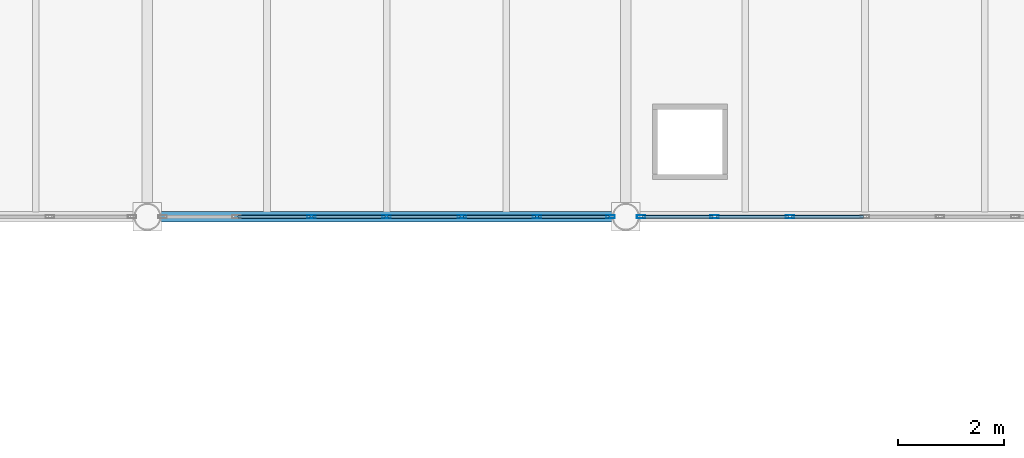
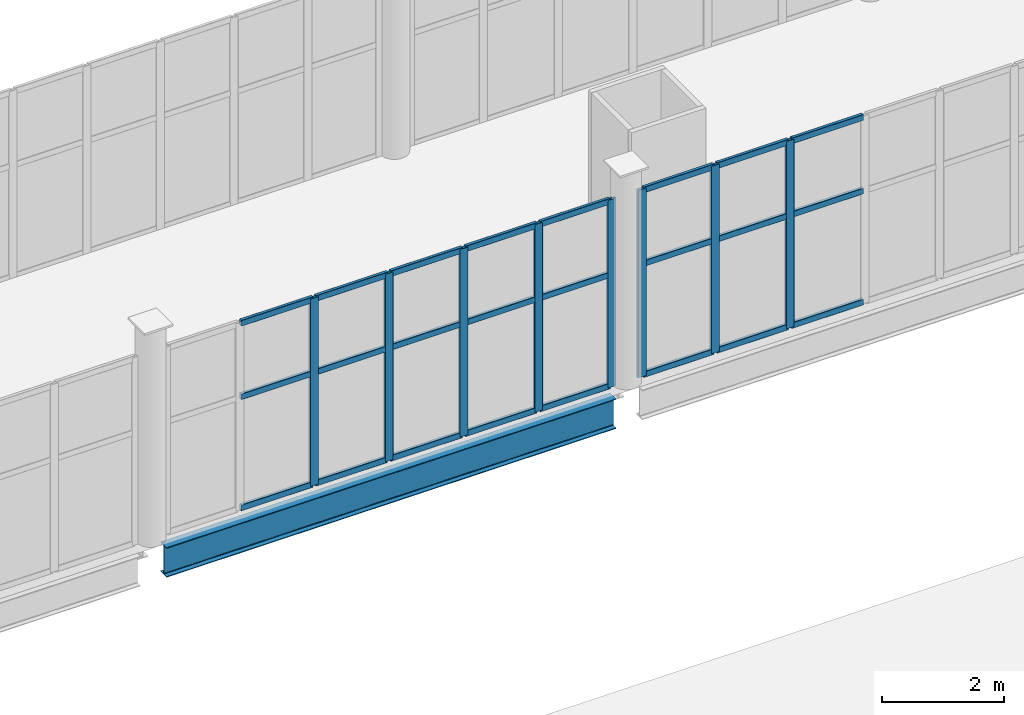
# One storey, part 62 of 136: 32 members, 1 beam, 2 elements without a shape of their own.
"""IFC4 building model written with IfcOpenShell, lengths in metres."""

from ifc_helpers import new_model, si_unit, direction, frame, origin, origin_2d, place, context, subcontext, project, spatial, hollow_rectangle, i_section, extrude, material, material_profile, profile_set, type_object, element, aggregate, save


model = new_model("IFC4")

# Units and contexts
model_context = context("Model", 3, precision=1e-05, world=origin(), true_north=direction((0.0, 1.0)))
body_context = subcontext(model_context, "Body", "Model", "MODEL_VIEW")
ifc_project = project(units=[si_unit("LENGTHUNIT", "METRE"), si_unit("AREAUNIT", "SQUARE_METRE"), si_unit("VOLUMEUNIT", "CUBIC_METRE"), si_unit("PLANEANGLEUNIT", "RADIAN"), si_unit("MASSUNIT", "GRAM", prefix="KILO")], contexts=[model_context])

# Site, building, storey
site_placement = place(None, origin())
site = spatial("IfcSite", under=ifc_project, at=site_placement, CompositionType="ELEMENT")
building_placement = place(site_placement, origin())
building = spatial("IfcBuilding", under=site, at=building_placement, Name="Shengluoqiao Park Theatre", CompositionType="ELEMENT")
storey_placement = place(building_placement, frame((0.0, 0.0, 10.0)))
storey = spatial("IfcBuildingStorey", under=building, at=storey_placement, Name="L02", CompositionType="ELEMENT", Elevation=10.0)

# Curtain wall, members
ifc_material_1 = material(Name="Aluminium 6063-T6", Category="aluminium")
curtain_wall_type = type_object("IfcCurtainWallType", Name="ENV-CW-BRIDGE", PredefinedType="NOTDEFINED", material=ifc_material_1)
curtain_wall_1_placement = place(storey_placement, origin())
curtain_wall_1 = element("IfcCurtainWall", 1, at=curtain_wall_1_placement, inside=storey, type_object=curtain_wall_type, Name="L02 Curtain Wall CWX-L02-0110", PredefinedType="NOTDEFINED")
ifc_material_profile_1 = material_profile(ifc_material_1, hollow_rectangle(XDim=0.06005859375, YDim=0.159912109375, WallThickness=0.00390625, InnerFilletRadius=0.00390625, OuterFilletRadius=0.008056640625, at=origin_2d()), Name="ALU MULLION 160x60x4")
ifc_profile_set_1 = profile_set([ifc_material_profile_1], Name="Aluminium 6063-T6")
member_type_1 = type_object("IfcMemberType", Name="ENV-MUL-160", PredefinedType="MULLION", material=ifc_profile_set_1)
member_1_placement = place(storey_placement, frame((115.486083984375, 68.39990234375, 0.0), z_axis=(0.0, 0.0, 1.0), x_axis=(0.0, 1.0, 0.0)))
member_1 = element("IfcMember", 2, at=member_1_placement, type_object=member_type_1, Name="CW-03 mullion 3", PredefinedType="MULLION", context=body_context, shape_type="SweptSolid", body=[
    extrude(hollow_rectangle(XDim=0.06005859375, YDim=0.159912109375, WallThickness=0.00390625, InnerFilletRadius=0.00390625, OuterFilletRadius=0.008056640625, at=origin_2d()), origin(), (0.0, 0.0, 1.0), 3.751953125),
])
member_2_placement = place(storey_placement, frame((116.89990234375, 68.39990234375, 0.0), z_axis=(0.0, 0.0, 1.0), x_axis=(0.0, 1.0, 0.0)))
member_2 = element("IfcMember", 3, at=member_2_placement, type_object=member_type_1, Name="CW-03 mullion 4", PredefinedType="MULLION", context=body_context, shape_type="SweptSolid", body=[
    extrude(hollow_rectangle(XDim=0.06005859375, YDim=0.159912109375, WallThickness=0.00390625, InnerFilletRadius=0.00390625, OuterFilletRadius=0.008056640625, at=origin_2d()), origin(), (0.0, 0.0, 1.0), 3.751953125),
])
member_3_placement = place(storey_placement, frame((118.31396484375, 68.39990234375, 0.0), z_axis=(0.0, 0.0, 1.0), x_axis=(0.0, 1.0, 0.0)))
member_3 = element("IfcMember", 4, at=member_3_placement, type_object=member_type_1, Name="CW-03 mullion 5", PredefinedType="MULLION", context=body_context, shape_type="SweptSolid", body=[
    extrude(hollow_rectangle(XDim=0.06005859375, YDim=0.159912109375, WallThickness=0.00390625, InnerFilletRadius=0.00390625, OuterFilletRadius=0.008056640625, at=origin_2d()), origin(), (0.0, 0.0, 1.0), 3.751953125),
])
member_4_placement = place(storey_placement, frame((119.72802734375, 68.39990234375, 0.0), z_axis=(0.0, 0.0, 1.0), x_axis=(0.0, 1.0, 0.0)))
member_4 = element("IfcMember", 5, at=member_4_placement, type_object=member_type_1, Name="CW-03 mullion 6", PredefinedType="MULLION", context=body_context, shape_type="SweptSolid", body=[
    extrude(hollow_rectangle(XDim=0.06005859375, YDim=0.159912109375, WallThickness=0.00390625, InnerFilletRadius=0.00390625, OuterFilletRadius=0.008056640625, at=origin_2d()), origin(), (0.0, 0.0, 1.0), 3.751953125),
])
member_5_placement = place(storey_placement, frame((121.112060546875, 68.39990234375, 0.0), z_axis=(0.0, 0.0, 1.0), x_axis=(0.0, 1.0, 0.0)))
member_5 = element("IfcMember", 6, at=member_5_placement, type_object=member_type_1, Name="CW-03 mullion 7", PredefinedType="MULLION", context=body_context, shape_type="SweptSolid", body=[
    extrude(hollow_rectangle(XDim=0.06005859375, YDim=0.159912109375, WallThickness=0.00390625, InnerFilletRadius=0.00390625, OuterFilletRadius=0.008056640625, at=origin_2d()), origin(), (0.0, 0.0, 1.0), 3.751953125),
])

curtain_wall_2_placement = place(storey_placement, origin())
curtain_wall_2 = element("IfcCurtainWall", 7, at=curtain_wall_2_placement, inside=storey, type_object=curtain_wall_type, Name="L02 Curtain Wall CWX-L02-0111", PredefinedType="NOTDEFINED")
member_6_placement = place(storey_placement, frame((121.68798828125, 68.39990234375, 0.0), z_axis=(0.0, 0.0, 1.0), x_axis=(0.0, 1.0, 0.0)))
member_6 = element("IfcMember", 8, at=member_6_placement, type_object=member_type_1, Name="CW-03 mullion 1", PredefinedType="MULLION", context=body_context, shape_type="SweptSolid", body=[
    extrude(hollow_rectangle(XDim=0.06005859375, YDim=0.159912109375, WallThickness=0.00390625, InnerFilletRadius=0.00390625, OuterFilletRadius=0.008056640625, at=origin_2d()), origin(), (0.0, 0.0, 1.0), 3.751953125),
])
member_7_placement = place(storey_placement, frame((123.072021484375, 68.39990234375, 0.0), z_axis=(0.0, 0.0, 1.0), x_axis=(0.0, 1.0, 0.0)))
member_7 = element("IfcMember", 9, at=member_7_placement, type_object=member_type_1, Name="CW-03 mullion 2", PredefinedType="MULLION", context=body_context, shape_type="SweptSolid", body=[
    extrude(hollow_rectangle(XDim=0.06005859375, YDim=0.159912109375, WallThickness=0.00390625, InnerFilletRadius=0.00390625, OuterFilletRadius=0.008056640625, at=origin_2d()), origin(), (0.0, 0.0, 1.0), 3.751953125),
])
member_8_placement = place(storey_placement, frame((124.486083984375, 68.39990234375, 0.0), z_axis=(0.0, 0.0, 1.0), x_axis=(0.0, 1.0, 0.0)))
member_8 = element("IfcMember", 10, at=member_8_placement, type_object=member_type_1, Name="CW-03 mullion 3", PredefinedType="MULLION", context=body_context, shape_type="SweptSolid", body=[
    extrude(hollow_rectangle(XDim=0.06005859375, YDim=0.159912109375, WallThickness=0.00390625, InnerFilletRadius=0.00390625, OuterFilletRadius=0.008056640625, at=origin_2d()), origin(), (0.0, 0.0, 1.0), 3.751953125),
])

# Member
ifc_material_profile_2 = material_profile(ifc_material_1, hollow_rectangle(XDim=0.06005859375, YDim=0.1201171875, WallThickness=0.00390625, InnerFilletRadius=0.00390625, OuterFilletRadius=0.008056640625, at=origin_2d()), Name="ALU TRANSOM 120x60x4")
ifc_profile_set_2 = profile_set([ifc_material_profile_2], Name="Aluminium 6063-T6")
member_type_2 = type_object("IfcMemberType", Name="ENV-TRN-120", PredefinedType="USERDEFINED", material=ifc_profile_set_2)
member_9_placement = place(storey_placement, frame((114.10205078125, 68.39990234375, 0.030029296875), z_axis=(1.0, 0.0, 0.0), x_axis=(0.0, 1.0, 0.0)))
member_9 = element("IfcMember", 11, at=member_9_placement, type_object=member_type_2, Name="CW-03 transom 2.1", ObjectType="TRANSOM", PredefinedType="USERDEFINED", context=body_context, shape_type="SweptSolid", body=[
    extrude(hollow_rectangle(XDim=0.06005859375, YDim=0.1201171875, WallThickness=0.00390625, InnerFilletRadius=0.00390625, OuterFilletRadius=0.008056640625, at=origin_2d()), origin(), (0.0, 0.0, 1.0), 1.35400390625),
])

member_10_placement = place(storey_placement, frame((114.10205078125, 68.39990234375, 2.2509765625), z_axis=(1.0, 0.0, 0.0), x_axis=(0.0, 1.0, 0.0)))
member_10 = element("IfcMember", 12, at=member_10_placement, type_object=member_type_2, Name="CW-03 transom 2.2", ObjectType="TRANSOM", PredefinedType="USERDEFINED", context=body_context, shape_type="SweptSolid", body=[
    extrude(hollow_rectangle(XDim=0.06005859375, YDim=0.1201171875, WallThickness=0.00390625, InnerFilletRadius=0.00390625, OuterFilletRadius=0.008056640625, at=origin_2d()), origin(), (0.0, 0.0, 1.0), 1.35400390625),
])

member_11_placement = place(storey_placement, frame((114.10205078125, 68.39990234375, 3.721923828125), z_axis=(1.0, 0.0, 0.0), x_axis=(0.0, 1.0, 0.0)))
member_11 = element("IfcMember", 13, at=member_11_placement, type_object=member_type_2, Name="CW-03 transom 2.3", ObjectType="TRANSOM", PredefinedType="USERDEFINED", context=body_context, shape_type="SweptSolid", body=[
    extrude(hollow_rectangle(XDim=0.06005859375, YDim=0.1201171875, WallThickness=0.00390625, InnerFilletRadius=0.00390625, OuterFilletRadius=0.008056640625, at=origin_2d()), origin(), (0.0, 0.0, 1.0), 1.35400390625),
])

member_12_placement = place(storey_placement, frame((115.51611328125, 68.39990234375, 0.030029296875), z_axis=(1.0, 0.0, 0.0), x_axis=(0.0, 1.0, 0.0)))
member_12 = element("IfcMember", 14, at=member_12_placement, type_object=member_type_2, Name="CW-03 transom 3.1", ObjectType="TRANSOM", PredefinedType="USERDEFINED", context=body_context, shape_type="SweptSolid", body=[
    extrude(hollow_rectangle(XDim=0.06005859375, YDim=0.1201171875, WallThickness=0.00390625, InnerFilletRadius=0.00390625, OuterFilletRadius=0.008056640625, at=origin_2d()), origin(), (0.0, 0.0, 1.0), 1.35400390625),
])

member_13_placement = place(storey_placement, frame((115.51611328125, 68.39990234375, 2.2509765625), z_axis=(1.0, 0.0, 0.0), x_axis=(0.0, 1.0, 0.0)))
member_13 = element("IfcMember", 15, at=member_13_placement, type_object=member_type_2, Name="CW-03 transom 3.2", ObjectType="TRANSOM", PredefinedType="USERDEFINED", context=body_context, shape_type="SweptSolid", body=[
    extrude(hollow_rectangle(XDim=0.06005859375, YDim=0.1201171875, WallThickness=0.00390625, InnerFilletRadius=0.00390625, OuterFilletRadius=0.008056640625, at=origin_2d()), origin(), (0.0, 0.0, 1.0), 1.35400390625),
])

member_14_placement = place(storey_placement, frame((115.51611328125, 68.39990234375, 3.721923828125), z_axis=(1.0, 0.0, 0.0), x_axis=(0.0, 1.0, 0.0)))
member_14 = element("IfcMember", 16, at=member_14_placement, type_object=member_type_2, Name="CW-03 transom 3.3", ObjectType="TRANSOM", PredefinedType="USERDEFINED", context=body_context, shape_type="SweptSolid", body=[
    extrude(hollow_rectangle(XDim=0.06005859375, YDim=0.1201171875, WallThickness=0.00390625, InnerFilletRadius=0.00390625, OuterFilletRadius=0.008056640625, at=origin_2d()), origin(), (0.0, 0.0, 1.0), 1.35400390625),
])

member_15_placement = place(storey_placement, frame((116.929931640625, 68.39990234375, 0.030029296875), z_axis=(1.0, 0.0, 0.0), x_axis=(0.0, 1.0, 0.0)))
member_15 = element("IfcMember", 17, at=member_15_placement, type_object=member_type_2, Name="CW-03 transom 4.1", ObjectType="TRANSOM", PredefinedType="USERDEFINED", context=body_context, shape_type="SweptSolid", body=[
    extrude(hollow_rectangle(XDim=0.06005859375, YDim=0.1201171875, WallThickness=0.00390625, InnerFilletRadius=0.00390625, OuterFilletRadius=0.008056640625, at=origin_2d()), origin(), (0.0, 0.0, 1.0), 1.35400390625),
])

member_16_placement = place(storey_placement, frame((116.929931640625, 68.39990234375, 2.2509765625), z_axis=(1.0, 0.0, 0.0), x_axis=(0.0, 1.0, 0.0)))
member_16 = element("IfcMember", 18, at=member_16_placement, type_object=member_type_2, Name="CW-03 transom 4.2", ObjectType="TRANSOM", PredefinedType="USERDEFINED", context=body_context, shape_type="SweptSolid", body=[
    extrude(hollow_rectangle(XDim=0.06005859375, YDim=0.1201171875, WallThickness=0.00390625, InnerFilletRadius=0.00390625, OuterFilletRadius=0.008056640625, at=origin_2d()), origin(), (0.0, 0.0, 1.0), 1.35400390625),
])

member_17_placement = place(storey_placement, frame((116.929931640625, 68.39990234375, 3.721923828125), z_axis=(1.0, 0.0, 0.0), x_axis=(0.0, 1.0, 0.0)))
member_17 = element("IfcMember", 19, at=member_17_placement, type_object=member_type_2, Name="CW-03 transom 4.3", ObjectType="TRANSOM", PredefinedType="USERDEFINED", context=body_context, shape_type="SweptSolid", body=[
    extrude(hollow_rectangle(XDim=0.06005859375, YDim=0.1201171875, WallThickness=0.00390625, InnerFilletRadius=0.00390625, OuterFilletRadius=0.008056640625, at=origin_2d()), origin(), (0.0, 0.0, 1.0), 1.35400390625),
])

member_18_placement = place(storey_placement, frame((118.343994140625, 68.39990234375, 0.030029296875), z_axis=(1.0, 0.0, 0.0), x_axis=(0.0, 1.0, 0.0)))
member_18 = element("IfcMember", 20, at=member_18_placement, type_object=member_type_2, Name="CW-03 transom 5.1", ObjectType="TRANSOM", PredefinedType="USERDEFINED", context=body_context, shape_type="SweptSolid", body=[
    extrude(hollow_rectangle(XDim=0.06005859375, YDim=0.1201171875, WallThickness=0.00390625, InnerFilletRadius=0.00390625, OuterFilletRadius=0.008056640625, at=origin_2d()), origin(), (0.0, 0.0, 1.0), 1.35400390625),
])

member_19_placement = place(storey_placement, frame((118.343994140625, 68.39990234375, 2.2509765625), z_axis=(1.0, 0.0, 0.0), x_axis=(0.0, 1.0, 0.0)))
member_19 = element("IfcMember", 21, at=member_19_placement, type_object=member_type_2, Name="CW-03 transom 5.2", ObjectType="TRANSOM", PredefinedType="USERDEFINED", context=body_context, shape_type="SweptSolid", body=[
    extrude(hollow_rectangle(XDim=0.06005859375, YDim=0.1201171875, WallThickness=0.00390625, InnerFilletRadius=0.00390625, OuterFilletRadius=0.008056640625, at=origin_2d()), origin(), (0.0, 0.0, 1.0), 1.35400390625),
])

member_20_placement = place(storey_placement, frame((118.343994140625, 68.39990234375, 3.721923828125), z_axis=(1.0, 0.0, 0.0), x_axis=(0.0, 1.0, 0.0)))
member_20 = element("IfcMember", 22, at=member_20_placement, type_object=member_type_2, Name="CW-03 transom 5.3", ObjectType="TRANSOM", PredefinedType="USERDEFINED", context=body_context, shape_type="SweptSolid", body=[
    extrude(hollow_rectangle(XDim=0.06005859375, YDim=0.1201171875, WallThickness=0.00390625, InnerFilletRadius=0.00390625, OuterFilletRadius=0.008056640625, at=origin_2d()), origin(), (0.0, 0.0, 1.0), 1.35400390625),
])

member_21_placement = place(storey_placement, frame((119.758056640625, 68.39990234375, 0.030029296875), z_axis=(1.0, 0.0, 0.0), x_axis=(0.0, 1.0, 0.0)))
member_21 = element("IfcMember", 23, at=member_21_placement, type_object=member_type_2, Name="CW-03 transom 6.1", ObjectType="TRANSOM", PredefinedType="USERDEFINED", context=body_context, shape_type="SweptSolid", body=[
    extrude(hollow_rectangle(XDim=0.06005859375, YDim=0.1201171875, WallThickness=0.00390625, InnerFilletRadius=0.00390625, OuterFilletRadius=0.008056640625, at=origin_2d()), origin(), (0.0, 0.0, 1.0), 1.323974609375),
])

member_22_placement = place(storey_placement, frame((119.758056640625, 68.39990234375, 2.2509765625), z_axis=(1.0, 0.0, 0.0), x_axis=(0.0, 1.0, 0.0)))
member_22 = element("IfcMember", 24, at=member_22_placement, type_object=member_type_2, Name="CW-03 transom 6.2", ObjectType="TRANSOM", PredefinedType="USERDEFINED", context=body_context, shape_type="SweptSolid", body=[
    extrude(hollow_rectangle(XDim=0.06005859375, YDim=0.1201171875, WallThickness=0.00390625, InnerFilletRadius=0.00390625, OuterFilletRadius=0.008056640625, at=origin_2d()), origin(), (0.0, 0.0, 1.0), 1.323974609375),
])

member_23_placement = place(storey_placement, frame((119.758056640625, 68.39990234375, 3.721923828125), z_axis=(1.0, 0.0, 0.0), x_axis=(0.0, 1.0, 0.0)))
member_23 = element("IfcMember", 25, at=member_23_placement, type_object=member_type_2, Name="CW-03 transom 6.3", ObjectType="TRANSOM", PredefinedType="USERDEFINED", context=body_context, shape_type="SweptSolid", body=[
    extrude(hollow_rectangle(XDim=0.06005859375, YDim=0.1201171875, WallThickness=0.00390625, InnerFilletRadius=0.00390625, OuterFilletRadius=0.008056640625, at=origin_2d()), origin(), (0.0, 0.0, 1.0), 1.323974609375),
])

aggregate(curtain_wall_1, [member_1, member_2, member_3, member_4, member_5, member_9, member_10, member_11, member_12, member_13, member_14, member_15, member_16, member_17, member_18, member_19, member_20, member_21, member_22, member_23])

member_24_placement = place(storey_placement, frame((121.718017578125, 68.39990234375, 0.030029296875), z_axis=(1.0, 0.0, 0.0), x_axis=(0.0, 1.0, 0.0)))
member_24 = element("IfcMember", 26, at=member_24_placement, type_object=member_type_2, Name="CW-03 transom 1.1", ObjectType="TRANSOM", PredefinedType="USERDEFINED", context=body_context, shape_type="SweptSolid", body=[
    extrude(hollow_rectangle(XDim=0.06005859375, YDim=0.1201171875, WallThickness=0.00390625, InnerFilletRadius=0.00390625, OuterFilletRadius=0.008056640625, at=origin_2d()), origin(), (0.0, 0.0, 1.0), 1.323974609375),
])

member_25_placement = place(storey_placement, frame((121.718017578125, 68.39990234375, 2.2509765625), z_axis=(1.0, 0.0, 0.0), x_axis=(0.0, 1.0, 0.0)))
member_25 = element("IfcMember", 27, at=member_25_placement, type_object=member_type_2, Name="CW-03 transom 1.2", ObjectType="TRANSOM", PredefinedType="USERDEFINED", context=body_context, shape_type="SweptSolid", body=[
    extrude(hollow_rectangle(XDim=0.06005859375, YDim=0.1201171875, WallThickness=0.00390625, InnerFilletRadius=0.00390625, OuterFilletRadius=0.008056640625, at=origin_2d()), origin(), (0.0, 0.0, 1.0), 1.323974609375),
])

member_26_placement = place(storey_placement, frame((121.718017578125, 68.39990234375, 3.721923828125), z_axis=(1.0, 0.0, 0.0), x_axis=(0.0, 1.0, 0.0)))
member_26 = element("IfcMember", 28, at=member_26_placement, type_object=member_type_2, Name="CW-03 transom 1.3", ObjectType="TRANSOM", PredefinedType="USERDEFINED", context=body_context, shape_type="SweptSolid", body=[
    extrude(hollow_rectangle(XDim=0.06005859375, YDim=0.1201171875, WallThickness=0.00390625, InnerFilletRadius=0.00390625, OuterFilletRadius=0.008056640625, at=origin_2d()), origin(), (0.0, 0.0, 1.0), 1.323974609375),
])

member_27_placement = place(storey_placement, frame((123.10205078125, 68.39990234375, 0.030029296875), z_axis=(1.0, 0.0, 0.0), x_axis=(0.0, 1.0, 0.0)))
member_27 = element("IfcMember", 29, at=member_27_placement, type_object=member_type_2, Name="CW-03 transom 2.1", ObjectType="TRANSOM", PredefinedType="USERDEFINED", context=body_context, shape_type="SweptSolid", body=[
    extrude(hollow_rectangle(XDim=0.06005859375, YDim=0.1201171875, WallThickness=0.00390625, InnerFilletRadius=0.00390625, OuterFilletRadius=0.008056640625, at=origin_2d()), origin(), (0.0, 0.0, 1.0), 1.35400390625),
])

member_28_placement = place(storey_placement, frame((123.10205078125, 68.39990234375, 2.2509765625), z_axis=(1.0, 0.0, 0.0), x_axis=(0.0, 1.0, 0.0)))
member_28 = element("IfcMember", 30, at=member_28_placement, type_object=member_type_2, Name="CW-03 transom 2.2", ObjectType="TRANSOM", PredefinedType="USERDEFINED", context=body_context, shape_type="SweptSolid", body=[
    extrude(hollow_rectangle(XDim=0.06005859375, YDim=0.1201171875, WallThickness=0.00390625, InnerFilletRadius=0.00390625, OuterFilletRadius=0.008056640625, at=origin_2d()), origin(), (0.0, 0.0, 1.0), 1.35400390625),
])

member_29_placement = place(storey_placement, frame((123.10205078125, 68.39990234375, 3.721923828125), z_axis=(1.0, 0.0, 0.0), x_axis=(0.0, 1.0, 0.0)))
member_29 = element("IfcMember", 31, at=member_29_placement, type_object=member_type_2, Name="CW-03 transom 2.3", ObjectType="TRANSOM", PredefinedType="USERDEFINED", context=body_context, shape_type="SweptSolid", body=[
    extrude(hollow_rectangle(XDim=0.06005859375, YDim=0.1201171875, WallThickness=0.00390625, InnerFilletRadius=0.00390625, OuterFilletRadius=0.008056640625, at=origin_2d()), origin(), (0.0, 0.0, 1.0), 1.35400390625),
])

member_30_placement = place(storey_placement, frame((124.51611328125, 68.39990234375, 0.030029296875), z_axis=(1.0, 0.0, 0.0), x_axis=(0.0, 1.0, 0.0)))
member_30 = element("IfcMember", 32, at=member_30_placement, type_object=member_type_2, Name="CW-03 transom 3.1", ObjectType="TRANSOM", PredefinedType="USERDEFINED", context=body_context, shape_type="SweptSolid", body=[
    extrude(hollow_rectangle(XDim=0.06005859375, YDim=0.1201171875, WallThickness=0.00390625, InnerFilletRadius=0.00390625, OuterFilletRadius=0.008056640625, at=origin_2d()), origin(), (0.0, 0.0, 1.0), 1.35400390625),
])

member_31_placement = place(storey_placement, frame((124.51611328125, 68.39990234375, 2.2509765625), z_axis=(1.0, 0.0, 0.0), x_axis=(0.0, 1.0, 0.0)))
member_31 = element("IfcMember", 33, at=member_31_placement, type_object=member_type_2, Name="CW-03 transom 3.2", ObjectType="TRANSOM", PredefinedType="USERDEFINED", context=body_context, shape_type="SweptSolid", body=[
    extrude(hollow_rectangle(XDim=0.06005859375, YDim=0.1201171875, WallThickness=0.00390625, InnerFilletRadius=0.00390625, OuterFilletRadius=0.008056640625, at=origin_2d()), origin(), (0.0, 0.0, 1.0), 1.35400390625),
])

member_32_placement = place(storey_placement, frame((124.51611328125, 68.39990234375, 3.721923828125), z_axis=(1.0, 0.0, 0.0), x_axis=(0.0, 1.0, 0.0)))
member_32 = element("IfcMember", 34, at=member_32_placement, type_object=member_type_2, Name="CW-03 transom 3.3", ObjectType="TRANSOM", PredefinedType="USERDEFINED", context=body_context, shape_type="SweptSolid", body=[
    extrude(hollow_rectangle(XDim=0.06005859375, YDim=0.1201171875, WallThickness=0.00390625, InnerFilletRadius=0.00390625, OuterFilletRadius=0.008056640625, at=origin_2d()), origin(), (0.0, 0.0, 1.0), 1.35400390625),
])

aggregate(curtain_wall_2, [member_6, member_7, member_8, member_24, member_25, member_26, member_27, member_28, member_29, member_30, member_31, member_32])

# Beam
ifc_material_2 = material(Name="Steel Q355", Category="steel")
ifc_material_profile_3 = material_profile(ifc_material_2, i_section(OverallWidth=0.198974609375, OverallDepth=0.595947265625, WebThickness=0.010009765625, FlangeThickness=0.014892578125, FilletRadius=0.02001953125, at=origin_2d()), Name="HN 596x199x10x15")
ifc_profile_set_3 = profile_set([ifc_material_profile_3], Name="Steel Q355")
beam_type = type_object("IfcBeamType", Name="STR-BM-SP-HN596", PredefinedType="SPANDREL", material=ifc_profile_set_3)
beam_placement = place(storey_placement, frame((112.64794921875, 68.39990234375, -0.508056640625), z_axis=(1.0, 0.0, 0.0), x_axis=(0.0, 1.0, 0.0)))
element("IfcBeam", 35, at=beam_placement, inside=storey, type_object=beam_type, Name="L02 Primary Girder 01008", PredefinedType="SPANDREL", context=body_context, shape_type="SweptSolid", body=[
    extrude(i_section(OverallWidth=0.198974609375, OverallDepth=0.595947265625, WebThickness=0.010009765625, FlangeThickness=0.014892578125, FilletRadius=0.02001953125, at=origin_2d()), origin(), (0.0, 0.0, 1.0), 8.504150390625),
])

save(model, "model.ifc")
